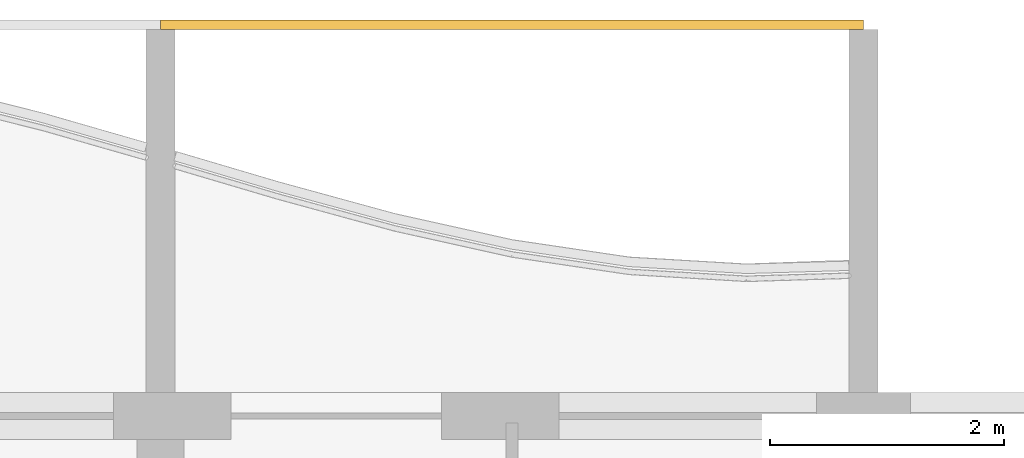
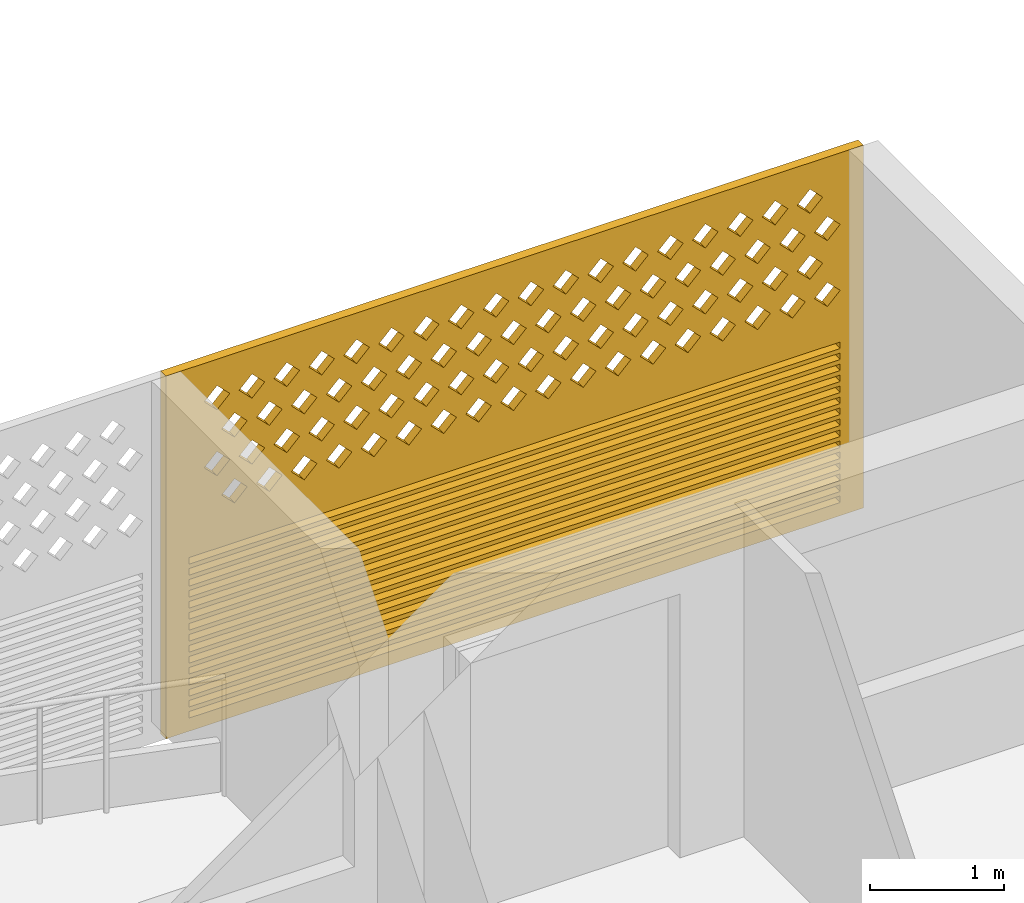
# One storey, part 28 of 39: 1 covering.
"""IFC4 building model written with IfcOpenShell, lengths in metres."""

from ifc_helpers import new_model, si_unit, direction, frame, origin, place, context, subcontext, project, spatial, polyline, outline, extrude, source, transform, mapped, material, material_profile, profile_set, type_object, element, save


model = new_model("IFC4")

# Units and contexts
model_context = context("Model", 3, precision=1e-05, world=origin(), true_north=direction((0.0, 1.0)))
body_context = subcontext(model_context, "Body", "Model", "MODEL_VIEW")
ifc_project = project(units=[si_unit("LENGTHUNIT", "METRE"), si_unit("AREAUNIT", "SQUARE_METRE"), si_unit("VOLUMEUNIT", "CUBIC_METRE"), si_unit("PLANEANGLEUNIT", "RADIAN"), si_unit("MASSUNIT", "GRAM", prefix="KILO")], contexts=[model_context])

# Site, building, storey
site_placement = place(None, origin())
site = spatial("IfcSite", under=ifc_project, at=site_placement, CompositionType="ELEMENT")
building_placement = place(site_placement, origin())
building = spatial("IfcBuilding", under=site, at=building_placement, Name="Poui Terraces", CompositionType="ELEMENT")
storey_placement = place(building_placement, frame((0.0, 0.0, 63.0)))
storey = spatial("IfcBuildingStorey", under=building, at=storey_placement, Name="L17", CompositionType="ELEMENT", Elevation=63.0)

# Covering
ifc_material = material(Name="Terracotta screen", Category="masonry")
ifc_material_profile = material_profile(ifc_material, outline(polyline([(-3.0, -1.64990234375), (3.0, -1.64990234375), (3.0, 1.64990234375), (-3.0, 1.64990234375), (-3.0, -1.64990234375)]), holes=[polyline([(-2.800048828125, 0.39990234375), (-2.68994140625, 0.2900390625), (-2.580078125, 0.39990234375), (-2.68994140625, 0.510009765625), (-2.800048828125, 0.39990234375)]), polyline([(-2.5, 0.39990234375), (-2.389892578125, 0.2900390625), (-2.280029296875, 0.39990234375), (-2.389892578125, 0.510009765625), (-2.5, 0.39990234375)]), polyline([(-2.199951171875, 0.39990234375), (-2.090087890625, 0.2900390625), (-1.97998046875, 0.39990234375), (-2.090087890625, 0.510009765625), (-2.199951171875, 0.39990234375)]), polyline([(-1.89990234375, 0.39990234375), (-1.7900390625, 0.2900390625), (-1.679931640625, 0.39990234375), (-1.7900390625, 0.510009765625), (-1.89990234375, 0.39990234375)]), polyline([(-1.60009765625, 0.39990234375), (-1.489990234375, 0.2900390625), (-1.3798828125, 0.39990234375), (-1.489990234375, 0.510009765625), (-1.60009765625, 0.39990234375)]), polyline([(-1.300048828125, 0.39990234375), (-1.18994140625, 0.2900390625), (-1.080078125, 0.39990234375), (-1.18994140625, 0.510009765625), (-1.300048828125, 0.39990234375)]), polyline([(-1.0, 0.39990234375), (-0.889892578125, 0.2900390625), (-0.780029296875, 0.39990234375), (-0.889892578125, 0.510009765625), (-1.0, 0.39990234375)]), polyline([(-0.699951171875, 0.39990234375), (-0.590087890625, 0.2900390625), (-0.47998046875, 0.39990234375), (-0.590087890625, 0.510009765625), (-0.699951171875, 0.39990234375)]), polyline([(-0.39990234375, 0.39990234375), (-0.2900390625, 0.2900390625), (-0.179931640625, 0.39990234375), (-0.2900390625, 0.510009765625), (-0.39990234375, 0.39990234375)]), polyline([(-0.10009765625, 0.39990234375), (0.010009765625, 0.2900390625), (0.1201171875, 0.39990234375), (0.010009765625, 0.510009765625), (-0.10009765625, 0.39990234375)]), polyline([(0.199951171875, 0.39990234375), (0.31005859375, 0.2900390625), (0.419921875, 0.39990234375), (0.31005859375, 0.510009765625), (0.199951171875, 0.39990234375)]), polyline([(0.5, 0.39990234375), (0.610107421875, 0.2900390625), (0.719970703125, 0.39990234375), (0.610107421875, 0.510009765625), (0.5, 0.39990234375)]), polyline([(0.800048828125, 0.39990234375), (0.909912109375, 0.2900390625), (1.02001953125, 0.39990234375), (0.909912109375, 0.510009765625), (0.800048828125, 0.39990234375)]), polyline([(1.10009765625, 0.39990234375), (1.2099609375, 0.2900390625), (1.320068359375, 0.39990234375), (1.2099609375, 0.510009765625), (1.10009765625, 0.39990234375)]), polyline([(1.39990234375, 0.39990234375), (1.510009765625, 0.2900390625), (1.6201171875, 0.39990234375), (1.510009765625, 0.510009765625), (1.39990234375, 0.39990234375)]), polyline([(1.699951171875, 0.39990234375), (1.81005859375, 0.2900390625), (1.919921875, 0.39990234375), (1.81005859375, 0.510009765625), (1.699951171875, 0.39990234375)]), polyline([(2.0, 0.39990234375), (2.110107421875, 0.2900390625), (2.219970703125, 0.39990234375), (2.110107421875, 0.510009765625), (2.0, 0.39990234375)]), polyline([(2.300048828125, 0.39990234375), (2.409912109375, 0.2900390625), (2.52001953125, 0.39990234375), (2.409912109375, 0.510009765625), (2.300048828125, 0.39990234375)]), polyline([(-2.64990234375, 0.699951171875), (-2.5400390625, 0.590087890625), (-2.429931640625, 0.699951171875), (-2.5400390625, 0.81005859375), (-2.64990234375, 0.699951171875)]), polyline([(-2.35009765625, 0.699951171875), (-2.239990234375, 0.590087890625), (-2.1298828125, 0.699951171875), (-2.239990234375, 0.81005859375), (-2.35009765625, 0.699951171875)]), polyline([(-2.050048828125, 0.699951171875), (-1.93994140625, 0.590087890625), (-1.830078125, 0.699951171875), (-1.93994140625, 0.81005859375), (-2.050048828125, 0.699951171875)]), polyline([(-1.75, 0.699951171875), (-1.639892578125, 0.590087890625), (-1.530029296875, 0.699951171875), (-1.639892578125, 0.81005859375), (-1.75, 0.699951171875)]), polyline([(-1.449951171875, 0.699951171875), (-1.340087890625, 0.590087890625), (-1.22998046875, 0.699951171875), (-1.340087890625, 0.81005859375), (-1.449951171875, 0.699951171875)]), polyline([(-1.14990234375, 0.699951171875), (-1.0400390625, 0.590087890625), (-0.929931640625, 0.699951171875), (-1.0400390625, 0.81005859375), (-1.14990234375, 0.699951171875)]), polyline([(-0.85009765625, 0.699951171875), (-0.739990234375, 0.590087890625), (-0.6298828125, 0.699951171875), (-0.739990234375, 0.81005859375), (-0.85009765625, 0.699951171875)]), polyline([(-0.550048828125, 0.699951171875), (-0.43994140625, 0.590087890625), (-0.330078125, 0.699951171875), (-0.43994140625, 0.81005859375), (-0.550048828125, 0.699951171875)]), polyline([(-0.25, 0.699951171875), (-0.139892578125, 0.590087890625), (-0.030029296875, 0.699951171875), (-0.139892578125, 0.81005859375), (-0.25, 0.699951171875)]), polyline([(0.050048828125, 0.699951171875), (0.159912109375, 0.590087890625), (0.27001953125, 0.699951171875), (0.159912109375, 0.81005859375), (0.050048828125, 0.699951171875)]), polyline([(0.35009765625, 0.699951171875), (0.4599609375, 0.590087890625), (0.570068359375, 0.699951171875), (0.4599609375, 0.81005859375), (0.35009765625, 0.699951171875)]), polyline([(0.64990234375, 0.699951171875), (0.760009765625, 0.590087890625), (0.8701171875, 0.699951171875), (0.760009765625, 0.81005859375), (0.64990234375, 0.699951171875)]), polyline([(0.949951171875, 0.699951171875), (1.06005859375, 0.590087890625), (1.169921875, 0.699951171875), (1.06005859375, 0.81005859375), (0.949951171875, 0.699951171875)]), polyline([(1.25, 0.699951171875), (1.360107421875, 0.590087890625), (1.469970703125, 0.699951171875), (1.360107421875, 0.81005859375), (1.25, 0.699951171875)]), polyline([(1.550048828125, 0.699951171875), (1.659912109375, 0.590087890625), (1.77001953125, 0.699951171875), (1.659912109375, 0.81005859375), (1.550048828125, 0.699951171875)]), polyline([(1.85009765625, 0.699951171875), (1.9599609375, 0.590087890625), (2.070068359375, 0.699951171875), (1.9599609375, 0.81005859375), (1.85009765625, 0.699951171875)]), polyline([(2.14990234375, 0.699951171875), (2.260009765625, 0.590087890625), (2.3701171875, 0.699951171875), (2.260009765625, 0.81005859375), (2.14990234375, 0.699951171875)]), polyline([(2.449951171875, 0.699951171875), (2.56005859375, 0.590087890625), (2.669921875, 0.699951171875), (2.56005859375, 0.81005859375), (2.449951171875, 0.699951171875)]), polyline([(-2.800048828125, 1.0), (-2.68994140625, 0.889892578125), (-2.580078125, 1.0), (-2.68994140625, 1.110107421875), (-2.800048828125, 1.0)]), polyline([(-2.5, 1.0), (-2.389892578125, 0.889892578125), (-2.280029296875, 1.0), (-2.389892578125, 1.110107421875), (-2.5, 1.0)]), polyline([(-2.199951171875, 1.0), (-2.090087890625, 0.889892578125), (-1.97998046875, 1.0), (-2.090087890625, 1.110107421875), (-2.199951171875, 1.0)]), polyline([(-1.89990234375, 1.0), (-1.7900390625, 0.889892578125), (-1.679931640625, 1.0), (-1.7900390625, 1.110107421875), (-1.89990234375, 1.0)]), polyline([(-1.60009765625, 1.0), (-1.489990234375, 0.889892578125), (-1.3798828125, 1.0), (-1.489990234375, 1.110107421875), (-1.60009765625, 1.0)]), polyline([(-1.300048828125, 1.0), (-1.18994140625, 0.889892578125), (-1.080078125, 1.0), (-1.18994140625, 1.110107421875), (-1.300048828125, 1.0)]), polyline([(-1.0, 1.0), (-0.889892578125, 0.889892578125), (-0.780029296875, 1.0), (-0.889892578125, 1.110107421875), (-1.0, 1.0)]), polyline([(-0.699951171875, 1.0), (-0.590087890625, 0.889892578125), (-0.47998046875, 1.0), (-0.590087890625, 1.110107421875), (-0.699951171875, 1.0)]), polyline([(-0.39990234375, 1.0), (-0.2900390625, 0.889892578125), (-0.179931640625, 1.0), (-0.2900390625, 1.110107421875), (-0.39990234375, 1.0)]), polyline([(-0.10009765625, 1.0), (0.010009765625, 0.889892578125), (0.1201171875, 1.0), (0.010009765625, 1.110107421875), (-0.10009765625, 1.0)]), polyline([(0.199951171875, 1.0), (0.31005859375, 0.889892578125), (0.419921875, 1.0), (0.31005859375, 1.110107421875), (0.199951171875, 1.0)]), polyline([(0.5, 1.0), (0.610107421875, 0.889892578125), (0.719970703125, 1.0), (0.610107421875, 1.110107421875), (0.5, 1.0)]), polyline([(0.800048828125, 1.0), (0.909912109375, 0.889892578125), (1.02001953125, 1.0), (0.909912109375, 1.110107421875), (0.800048828125, 1.0)]), polyline([(1.10009765625, 1.0), (1.2099609375, 0.889892578125), (1.320068359375, 1.0), (1.2099609375, 1.110107421875), (1.10009765625, 1.0)]), polyline([(1.39990234375, 1.0), (1.510009765625, 0.889892578125), (1.6201171875, 1.0), (1.510009765625, 1.110107421875), (1.39990234375, 1.0)]), polyline([(1.699951171875, 1.0), (1.81005859375, 0.889892578125), (1.919921875, 1.0), (1.81005859375, 1.110107421875), (1.699951171875, 1.0)]), polyline([(2.0, 1.0), (2.110107421875, 0.889892578125), (2.219970703125, 1.0), (2.110107421875, 1.110107421875), (2.0, 1.0)]), polyline([(2.300048828125, 1.0), (2.409912109375, 0.889892578125), (2.52001953125, 1.0), (2.409912109375, 1.110107421875), (2.300048828125, 1.0)]), polyline([(-2.64990234375, 1.300048828125), (-2.5400390625, 1.18994140625), (-2.429931640625, 1.300048828125), (-2.5400390625, 1.409912109375), (-2.64990234375, 1.300048828125)]), polyline([(-2.35009765625, 1.300048828125), (-2.239990234375, 1.18994140625), (-2.1298828125, 1.300048828125), (-2.239990234375, 1.409912109375), (-2.35009765625, 1.300048828125)]), polyline([(-2.050048828125, 1.300048828125), (-1.93994140625, 1.18994140625), (-1.830078125, 1.300048828125), (-1.93994140625, 1.409912109375), (-2.050048828125, 1.300048828125)]), polyline([(-1.75, 1.300048828125), (-1.639892578125, 1.18994140625), (-1.530029296875, 1.300048828125), (-1.639892578125, 1.409912109375), (-1.75, 1.300048828125)]), polyline([(-1.449951171875, 1.300048828125), (-1.340087890625, 1.18994140625), (-1.22998046875, 1.300048828125), (-1.340087890625, 1.409912109375), (-1.449951171875, 1.300048828125)]), polyline([(-1.14990234375, 1.300048828125), (-1.0400390625, 1.18994140625), (-0.929931640625, 1.300048828125), (-1.0400390625, 1.409912109375), (-1.14990234375, 1.300048828125)]), polyline([(-0.85009765625, 1.300048828125), (-0.739990234375, 1.18994140625), (-0.6298828125, 1.300048828125), (-0.739990234375, 1.409912109375), (-0.85009765625, 1.300048828125)]), polyline([(-0.550048828125, 1.300048828125), (-0.43994140625, 1.18994140625), (-0.330078125, 1.300048828125), (-0.43994140625, 1.409912109375), (-0.550048828125, 1.300048828125)]), polyline([(-0.25, 1.300048828125), (-0.139892578125, 1.18994140625), (-0.030029296875, 1.300048828125), (-0.139892578125, 1.409912109375), (-0.25, 1.300048828125)]), polyline([(0.050048828125, 1.300048828125), (0.159912109375, 1.18994140625), (0.27001953125, 1.300048828125), (0.159912109375, 1.409912109375), (0.050048828125, 1.300048828125)]), polyline([(0.35009765625, 1.300048828125), (0.4599609375, 1.18994140625), (0.570068359375, 1.300048828125), (0.4599609375, 1.409912109375), (0.35009765625, 1.300048828125)]), polyline([(0.64990234375, 1.300048828125), (0.760009765625, 1.18994140625), (0.8701171875, 1.300048828125), (0.760009765625, 1.409912109375), (0.64990234375, 1.300048828125)]), polyline([(0.949951171875, 1.300048828125), (1.06005859375, 1.18994140625), (1.169921875, 1.300048828125), (1.06005859375, 1.409912109375), (0.949951171875, 1.300048828125)]), polyline([(1.25, 1.300048828125), (1.360107421875, 1.18994140625), (1.469970703125, 1.300048828125), (1.360107421875, 1.409912109375), (1.25, 1.300048828125)]), polyline([(1.550048828125, 1.300048828125), (1.659912109375, 1.18994140625), (1.77001953125, 1.300048828125), (1.659912109375, 1.409912109375), (1.550048828125, 1.300048828125)]), polyline([(1.85009765625, 1.300048828125), (1.9599609375, 1.18994140625), (2.070068359375, 1.300048828125), (1.9599609375, 1.409912109375), (1.85009765625, 1.300048828125)]), polyline([(2.14990234375, 1.300048828125), (2.260009765625, 1.18994140625), (2.3701171875, 1.300048828125), (2.260009765625, 1.409912109375), (2.14990234375, 1.300048828125)]), polyline([(2.449951171875, 1.300048828125), (2.56005859375, 1.18994140625), (2.669921875, 1.300048828125), (2.56005859375, 1.409912109375), (2.449951171875, 1.300048828125)]), polyline([(-2.800048828125, -1.530029296875), (2.800048828125, -1.530029296875), (2.800048828125, -1.469970703125), (-2.800048828125, -1.469970703125), (-2.800048828125, -1.530029296875)]), polyline([(-2.800048828125, -1.429931640625), (2.800048828125, -1.429931640625), (2.800048828125, -1.3701171875), (-2.800048828125, -1.3701171875), (-2.800048828125, -1.429931640625)]), polyline([(-2.800048828125, -1.330078125), (2.800048828125, -1.330078125), (2.800048828125, -1.27001953125), (-2.800048828125, -1.27001953125), (-2.800048828125, -1.330078125)]), polyline([(-2.800048828125, -1.22998046875), (2.800048828125, -1.22998046875), (2.800048828125, -1.169921875), (-2.800048828125, -1.169921875), (-2.800048828125, -1.22998046875)]), polyline([(-2.800048828125, -1.1298828125), (2.800048828125, -1.1298828125), (2.800048828125, -1.070068359375), (-2.800048828125, -1.070068359375), (-2.800048828125, -1.1298828125)]), polyline([(-2.800048828125, -1.030029296875), (2.800048828125, -1.030029296875), (2.800048828125, -0.969970703125), (-2.800048828125, -0.969970703125), (-2.800048828125, -1.030029296875)]), polyline([(-2.800048828125, -0.929931640625), (2.800048828125, -0.929931640625), (2.800048828125, -0.8701171875), (-2.800048828125, -0.8701171875), (-2.800048828125, -0.929931640625)]), polyline([(-2.800048828125, -0.830078125), (2.800048828125, -0.830078125), (2.800048828125, -0.77001953125), (-2.800048828125, -0.77001953125), (-2.800048828125, -0.830078125)]), polyline([(-2.800048828125, -0.72998046875), (2.800048828125, -0.72998046875), (2.800048828125, -0.669921875), (-2.800048828125, -0.669921875), (-2.800048828125, -0.72998046875)]), polyline([(-2.800048828125, -0.6298828125), (2.800048828125, -0.6298828125), (2.800048828125, -0.570068359375), (-2.800048828125, -0.570068359375), (-2.800048828125, -0.6298828125)]), polyline([(-2.800048828125, -0.530029296875), (2.800048828125, -0.530029296875), (2.800048828125, -0.469970703125), (-2.800048828125, -0.469970703125), (-2.800048828125, -0.530029296875)]), polyline([(-2.800048828125, -0.429931640625), (2.800048828125, -0.429931640625), (2.800048828125, -0.3701171875), (-2.800048828125, -0.3701171875), (-2.800048828125, -0.429931640625)]), polyline([(-2.800048828125, -0.330078125), (2.800048828125, -0.330078125), (2.800048828125, -0.27001953125), (-2.800048828125, -0.27001953125), (-2.800048828125, -0.330078125)]), polyline([(-2.800048828125, -0.22998046875), (2.800048828125, -0.22998046875), (2.800048828125, -0.169921875), (-2.800048828125, -0.169921875), (-2.800048828125, -0.22998046875)]), polyline([(-2.800048828125, -0.1298828125), (2.800048828125, -0.1298828125), (2.800048828125, -0.070068359375), (-2.800048828125, -0.070068359375), (-2.800048828125, -0.1298828125)])]), Name="TERRACOTTA SCREEN AND JALOUSIE LOUVRE 6000X3300")
ifc_profile_set = profile_set([ifc_material_profile], Name="Terracotta screen")
covering_type = type_object("IfcCoveringType", Name="TERRACOTTA SCREEN AND JALOUSIE LOUVRE 6000X3300", PredefinedType="CLADDING", material=ifc_profile_set)
shared_shape = source(origin(), body_context, "Body", "SweptSolid", [
    extrude(outline(polyline([(-3.0, -1.64990234375), (3.0, -1.64990234375), (3.0, 1.64990234375), (-3.0, 1.64990234375), (-3.0, -1.64990234375)]), holes=[polyline([(-2.800048828125, 0.39990234375), (-2.68994140625, 0.2900390625), (-2.580078125, 0.39990234375), (-2.68994140625, 0.510009765625), (-2.800048828125, 0.39990234375)]), polyline([(-2.5, 0.39990234375), (-2.389892578125, 0.2900390625), (-2.280029296875, 0.39990234375), (-2.389892578125, 0.510009765625), (-2.5, 0.39990234375)]), polyline([(-2.199951171875, 0.39990234375), (-2.090087890625, 0.2900390625), (-1.97998046875, 0.39990234375), (-2.090087890625, 0.510009765625), (-2.199951171875, 0.39990234375)]), polyline([(-1.89990234375, 0.39990234375), (-1.7900390625, 0.2900390625), (-1.679931640625, 0.39990234375), (-1.7900390625, 0.510009765625), (-1.89990234375, 0.39990234375)]), polyline([(-1.60009765625, 0.39990234375), (-1.489990234375, 0.2900390625), (-1.3798828125, 0.39990234375), (-1.489990234375, 0.510009765625), (-1.60009765625, 0.39990234375)]), polyline([(-1.300048828125, 0.39990234375), (-1.18994140625, 0.2900390625), (-1.080078125, 0.39990234375), (-1.18994140625, 0.510009765625), (-1.300048828125, 0.39990234375)]), polyline([(-1.0, 0.39990234375), (-0.889892578125, 0.2900390625), (-0.780029296875, 0.39990234375), (-0.889892578125, 0.510009765625), (-1.0, 0.39990234375)]), polyline([(-0.699951171875, 0.39990234375), (-0.590087890625, 0.2900390625), (-0.47998046875, 0.39990234375), (-0.590087890625, 0.510009765625), (-0.699951171875, 0.39990234375)]), polyline([(-0.39990234375, 0.39990234375), (-0.2900390625, 0.2900390625), (-0.179931640625, 0.39990234375), (-0.2900390625, 0.510009765625), (-0.39990234375, 0.39990234375)]), polyline([(-0.10009765625, 0.39990234375), (0.010009765625, 0.2900390625), (0.1201171875, 0.39990234375), (0.010009765625, 0.510009765625), (-0.10009765625, 0.39990234375)]), polyline([(0.199951171875, 0.39990234375), (0.31005859375, 0.2900390625), (0.419921875, 0.39990234375), (0.31005859375, 0.510009765625), (0.199951171875, 0.39990234375)]), polyline([(0.5, 0.39990234375), (0.610107421875, 0.2900390625), (0.719970703125, 0.39990234375), (0.610107421875, 0.510009765625), (0.5, 0.39990234375)]), polyline([(0.800048828125, 0.39990234375), (0.909912109375, 0.2900390625), (1.02001953125, 0.39990234375), (0.909912109375, 0.510009765625), (0.800048828125, 0.39990234375)]), polyline([(1.10009765625, 0.39990234375), (1.2099609375, 0.2900390625), (1.320068359375, 0.39990234375), (1.2099609375, 0.510009765625), (1.10009765625, 0.39990234375)]), polyline([(1.39990234375, 0.39990234375), (1.510009765625, 0.2900390625), (1.6201171875, 0.39990234375), (1.510009765625, 0.510009765625), (1.39990234375, 0.39990234375)]), polyline([(1.699951171875, 0.39990234375), (1.81005859375, 0.2900390625), (1.919921875, 0.39990234375), (1.81005859375, 0.510009765625), (1.699951171875, 0.39990234375)]), polyline([(2.0, 0.39990234375), (2.110107421875, 0.2900390625), (2.219970703125, 0.39990234375), (2.110107421875, 0.510009765625), (2.0, 0.39990234375)]), polyline([(2.300048828125, 0.39990234375), (2.409912109375, 0.2900390625), (2.52001953125, 0.39990234375), (2.409912109375, 0.510009765625), (2.300048828125, 0.39990234375)]), polyline([(-2.64990234375, 0.699951171875), (-2.5400390625, 0.590087890625), (-2.429931640625, 0.699951171875), (-2.5400390625, 0.81005859375), (-2.64990234375, 0.699951171875)]), polyline([(-2.35009765625, 0.699951171875), (-2.239990234375, 0.590087890625), (-2.1298828125, 0.699951171875), (-2.239990234375, 0.81005859375), (-2.35009765625, 0.699951171875)]), polyline([(-2.050048828125, 0.699951171875), (-1.93994140625, 0.590087890625), (-1.830078125, 0.699951171875), (-1.93994140625, 0.81005859375), (-2.050048828125, 0.699951171875)]), polyline([(-1.75, 0.699951171875), (-1.639892578125, 0.590087890625), (-1.530029296875, 0.699951171875), (-1.639892578125, 0.81005859375), (-1.75, 0.699951171875)]), polyline([(-1.449951171875, 0.699951171875), (-1.340087890625, 0.590087890625), (-1.22998046875, 0.699951171875), (-1.340087890625, 0.81005859375), (-1.449951171875, 0.699951171875)]), polyline([(-1.14990234375, 0.699951171875), (-1.0400390625, 0.590087890625), (-0.929931640625, 0.699951171875), (-1.0400390625, 0.81005859375), (-1.14990234375, 0.699951171875)]), polyline([(-0.85009765625, 0.699951171875), (-0.739990234375, 0.590087890625), (-0.6298828125, 0.699951171875), (-0.739990234375, 0.81005859375), (-0.85009765625, 0.699951171875)]), polyline([(-0.550048828125, 0.699951171875), (-0.43994140625, 0.590087890625), (-0.330078125, 0.699951171875), (-0.43994140625, 0.81005859375), (-0.550048828125, 0.699951171875)]), polyline([(-0.25, 0.699951171875), (-0.139892578125, 0.590087890625), (-0.030029296875, 0.699951171875), (-0.139892578125, 0.81005859375), (-0.25, 0.699951171875)]), polyline([(0.050048828125, 0.699951171875), (0.159912109375, 0.590087890625), (0.27001953125, 0.699951171875), (0.159912109375, 0.81005859375), (0.050048828125, 0.699951171875)]), polyline([(0.35009765625, 0.699951171875), (0.4599609375, 0.590087890625), (0.570068359375, 0.699951171875), (0.4599609375, 0.81005859375), (0.35009765625, 0.699951171875)]), polyline([(0.64990234375, 0.699951171875), (0.760009765625, 0.590087890625), (0.8701171875, 0.699951171875), (0.760009765625, 0.81005859375), (0.64990234375, 0.699951171875)]), polyline([(0.949951171875, 0.699951171875), (1.06005859375, 0.590087890625), (1.169921875, 0.699951171875), (1.06005859375, 0.81005859375), (0.949951171875, 0.699951171875)]), polyline([(1.25, 0.699951171875), (1.360107421875, 0.590087890625), (1.469970703125, 0.699951171875), (1.360107421875, 0.81005859375), (1.25, 0.699951171875)]), polyline([(1.550048828125, 0.699951171875), (1.659912109375, 0.590087890625), (1.77001953125, 0.699951171875), (1.659912109375, 0.81005859375), (1.550048828125, 0.699951171875)]), polyline([(1.85009765625, 0.699951171875), (1.9599609375, 0.590087890625), (2.070068359375, 0.699951171875), (1.9599609375, 0.81005859375), (1.85009765625, 0.699951171875)]), polyline([(2.14990234375, 0.699951171875), (2.260009765625, 0.590087890625), (2.3701171875, 0.699951171875), (2.260009765625, 0.81005859375), (2.14990234375, 0.699951171875)]), polyline([(2.449951171875, 0.699951171875), (2.56005859375, 0.590087890625), (2.669921875, 0.699951171875), (2.56005859375, 0.81005859375), (2.449951171875, 0.699951171875)]), polyline([(-2.800048828125, 1.0), (-2.68994140625, 0.889892578125), (-2.580078125, 1.0), (-2.68994140625, 1.110107421875), (-2.800048828125, 1.0)]), polyline([(-2.5, 1.0), (-2.389892578125, 0.889892578125), (-2.280029296875, 1.0), (-2.389892578125, 1.110107421875), (-2.5, 1.0)]), polyline([(-2.199951171875, 1.0), (-2.090087890625, 0.889892578125), (-1.97998046875, 1.0), (-2.090087890625, 1.110107421875), (-2.199951171875, 1.0)]), polyline([(-1.89990234375, 1.0), (-1.7900390625, 0.889892578125), (-1.679931640625, 1.0), (-1.7900390625, 1.110107421875), (-1.89990234375, 1.0)]), polyline([(-1.60009765625, 1.0), (-1.489990234375, 0.889892578125), (-1.3798828125, 1.0), (-1.489990234375, 1.110107421875), (-1.60009765625, 1.0)]), polyline([(-1.300048828125, 1.0), (-1.18994140625, 0.889892578125), (-1.080078125, 1.0), (-1.18994140625, 1.110107421875), (-1.300048828125, 1.0)]), polyline([(-1.0, 1.0), (-0.889892578125, 0.889892578125), (-0.780029296875, 1.0), (-0.889892578125, 1.110107421875), (-1.0, 1.0)]), polyline([(-0.699951171875, 1.0), (-0.590087890625, 0.889892578125), (-0.47998046875, 1.0), (-0.590087890625, 1.110107421875), (-0.699951171875, 1.0)]), polyline([(-0.39990234375, 1.0), (-0.2900390625, 0.889892578125), (-0.179931640625, 1.0), (-0.2900390625, 1.110107421875), (-0.39990234375, 1.0)]), polyline([(-0.10009765625, 1.0), (0.010009765625, 0.889892578125), (0.1201171875, 1.0), (0.010009765625, 1.110107421875), (-0.10009765625, 1.0)]), polyline([(0.199951171875, 1.0), (0.31005859375, 0.889892578125), (0.419921875, 1.0), (0.31005859375, 1.110107421875), (0.199951171875, 1.0)]), polyline([(0.5, 1.0), (0.610107421875, 0.889892578125), (0.719970703125, 1.0), (0.610107421875, 1.110107421875), (0.5, 1.0)]), polyline([(0.800048828125, 1.0), (0.909912109375, 0.889892578125), (1.02001953125, 1.0), (0.909912109375, 1.110107421875), (0.800048828125, 1.0)]), polyline([(1.10009765625, 1.0), (1.2099609375, 0.889892578125), (1.320068359375, 1.0), (1.2099609375, 1.110107421875), (1.10009765625, 1.0)]), polyline([(1.39990234375, 1.0), (1.510009765625, 0.889892578125), (1.6201171875, 1.0), (1.510009765625, 1.110107421875), (1.39990234375, 1.0)]), polyline([(1.699951171875, 1.0), (1.81005859375, 0.889892578125), (1.919921875, 1.0), (1.81005859375, 1.110107421875), (1.699951171875, 1.0)]), polyline([(2.0, 1.0), (2.110107421875, 0.889892578125), (2.219970703125, 1.0), (2.110107421875, 1.110107421875), (2.0, 1.0)]), polyline([(2.300048828125, 1.0), (2.409912109375, 0.889892578125), (2.52001953125, 1.0), (2.409912109375, 1.110107421875), (2.300048828125, 1.0)]), polyline([(-2.64990234375, 1.300048828125), (-2.5400390625, 1.18994140625), (-2.429931640625, 1.300048828125), (-2.5400390625, 1.409912109375), (-2.64990234375, 1.300048828125)]), polyline([(-2.35009765625, 1.300048828125), (-2.239990234375, 1.18994140625), (-2.1298828125, 1.300048828125), (-2.239990234375, 1.409912109375), (-2.35009765625, 1.300048828125)]), polyline([(-2.050048828125, 1.300048828125), (-1.93994140625, 1.18994140625), (-1.830078125, 1.300048828125), (-1.93994140625, 1.409912109375), (-2.050048828125, 1.300048828125)]), polyline([(-1.75, 1.300048828125), (-1.639892578125, 1.18994140625), (-1.530029296875, 1.300048828125), (-1.639892578125, 1.409912109375), (-1.75, 1.300048828125)]), polyline([(-1.449951171875, 1.300048828125), (-1.340087890625, 1.18994140625), (-1.22998046875, 1.300048828125), (-1.340087890625, 1.409912109375), (-1.449951171875, 1.300048828125)]), polyline([(-1.14990234375, 1.300048828125), (-1.0400390625, 1.18994140625), (-0.929931640625, 1.300048828125), (-1.0400390625, 1.409912109375), (-1.14990234375, 1.300048828125)]), polyline([(-0.85009765625, 1.300048828125), (-0.739990234375, 1.18994140625), (-0.6298828125, 1.300048828125), (-0.739990234375, 1.409912109375), (-0.85009765625, 1.300048828125)]), polyline([(-0.550048828125, 1.300048828125), (-0.43994140625, 1.18994140625), (-0.330078125, 1.300048828125), (-0.43994140625, 1.409912109375), (-0.550048828125, 1.300048828125)]), polyline([(-0.25, 1.300048828125), (-0.139892578125, 1.18994140625), (-0.030029296875, 1.300048828125), (-0.139892578125, 1.409912109375), (-0.25, 1.300048828125)]), polyline([(0.050048828125, 1.300048828125), (0.159912109375, 1.18994140625), (0.27001953125, 1.300048828125), (0.159912109375, 1.409912109375), (0.050048828125, 1.300048828125)]), polyline([(0.35009765625, 1.300048828125), (0.4599609375, 1.18994140625), (0.570068359375, 1.300048828125), (0.4599609375, 1.409912109375), (0.35009765625, 1.300048828125)]), polyline([(0.64990234375, 1.300048828125), (0.760009765625, 1.18994140625), (0.8701171875, 1.300048828125), (0.760009765625, 1.409912109375), (0.64990234375, 1.300048828125)]), polyline([(0.949951171875, 1.300048828125), (1.06005859375, 1.18994140625), (1.169921875, 1.300048828125), (1.06005859375, 1.409912109375), (0.949951171875, 1.300048828125)]), polyline([(1.25, 1.300048828125), (1.360107421875, 1.18994140625), (1.469970703125, 1.300048828125), (1.360107421875, 1.409912109375), (1.25, 1.300048828125)]), polyline([(1.550048828125, 1.300048828125), (1.659912109375, 1.18994140625), (1.77001953125, 1.300048828125), (1.659912109375, 1.409912109375), (1.550048828125, 1.300048828125)]), polyline([(1.85009765625, 1.300048828125), (1.9599609375, 1.18994140625), (2.070068359375, 1.300048828125), (1.9599609375, 1.409912109375), (1.85009765625, 1.300048828125)]), polyline([(2.14990234375, 1.300048828125), (2.260009765625, 1.18994140625), (2.3701171875, 1.300048828125), (2.260009765625, 1.409912109375), (2.14990234375, 1.300048828125)]), polyline([(2.449951171875, 1.300048828125), (2.56005859375, 1.18994140625), (2.669921875, 1.300048828125), (2.56005859375, 1.409912109375), (2.449951171875, 1.300048828125)]), polyline([(-2.800048828125, -1.530029296875), (2.800048828125, -1.530029296875), (2.800048828125, -1.469970703125), (-2.800048828125, -1.469970703125), (-2.800048828125, -1.530029296875)]), polyline([(-2.800048828125, -1.429931640625), (2.800048828125, -1.429931640625), (2.800048828125, -1.3701171875), (-2.800048828125, -1.3701171875), (-2.800048828125, -1.429931640625)]), polyline([(-2.800048828125, -1.330078125), (2.800048828125, -1.330078125), (2.800048828125, -1.27001953125), (-2.800048828125, -1.27001953125), (-2.800048828125, -1.330078125)]), polyline([(-2.800048828125, -1.22998046875), (2.800048828125, -1.22998046875), (2.800048828125, -1.169921875), (-2.800048828125, -1.169921875), (-2.800048828125, -1.22998046875)]), polyline([(-2.800048828125, -1.1298828125), (2.800048828125, -1.1298828125), (2.800048828125, -1.070068359375), (-2.800048828125, -1.070068359375), (-2.800048828125, -1.1298828125)]), polyline([(-2.800048828125, -1.030029296875), (2.800048828125, -1.030029296875), (2.800048828125, -0.969970703125), (-2.800048828125, -0.969970703125), (-2.800048828125, -1.030029296875)]), polyline([(-2.800048828125, -0.929931640625), (2.800048828125, -0.929931640625), (2.800048828125, -0.8701171875), (-2.800048828125, -0.8701171875), (-2.800048828125, -0.929931640625)]), polyline([(-2.800048828125, -0.830078125), (2.800048828125, -0.830078125), (2.800048828125, -0.77001953125), (-2.800048828125, -0.77001953125), (-2.800048828125, -0.830078125)]), polyline([(-2.800048828125, -0.72998046875), (2.800048828125, -0.72998046875), (2.800048828125, -0.669921875), (-2.800048828125, -0.669921875), (-2.800048828125, -0.72998046875)]), polyline([(-2.800048828125, -0.6298828125), (2.800048828125, -0.6298828125), (2.800048828125, -0.570068359375), (-2.800048828125, -0.570068359375), (-2.800048828125, -0.6298828125)]), polyline([(-2.800048828125, -0.530029296875), (2.800048828125, -0.530029296875), (2.800048828125, -0.469970703125), (-2.800048828125, -0.469970703125), (-2.800048828125, -0.530029296875)]), polyline([(-2.800048828125, -0.429931640625), (2.800048828125, -0.429931640625), (2.800048828125, -0.3701171875), (-2.800048828125, -0.3701171875), (-2.800048828125, -0.429931640625)]), polyline([(-2.800048828125, -0.330078125), (2.800048828125, -0.330078125), (2.800048828125, -0.27001953125), (-2.800048828125, -0.27001953125), (-2.800048828125, -0.330078125)]), polyline([(-2.800048828125, -0.22998046875), (2.800048828125, -0.22998046875), (2.800048828125, -0.169921875), (-2.800048828125, -0.169921875), (-2.800048828125, -0.22998046875)]), polyline([(-2.800048828125, -0.1298828125), (2.800048828125, -0.1298828125), (2.800048828125, -0.070068359375), (-2.800048828125, -0.070068359375), (-2.800048828125, -0.1298828125)])]), origin(), (0.0, 0.0, 1.0), 0.079833984375),
])
covering_placement = place(storey_placement, frame((45.0, 48.10009765625, 1.449951171875), z_axis=(0.0, 1.0, 0.0), x_axis=(-1.0, 0.0, 0.0)))
element("IfcCovering", 1, at=covering_placement, inside=storey, type_object=covering_type, Name="SOLAR SCREEN AND JALOUSIE LOUVRE", PredefinedType="CLADDING", context=body_context, shape_type="MappedRepresentation", body=[
    mapped(shared_shape, transform((0.0, 0.0, 0.0))),
])

save(model, "model.ifc")
